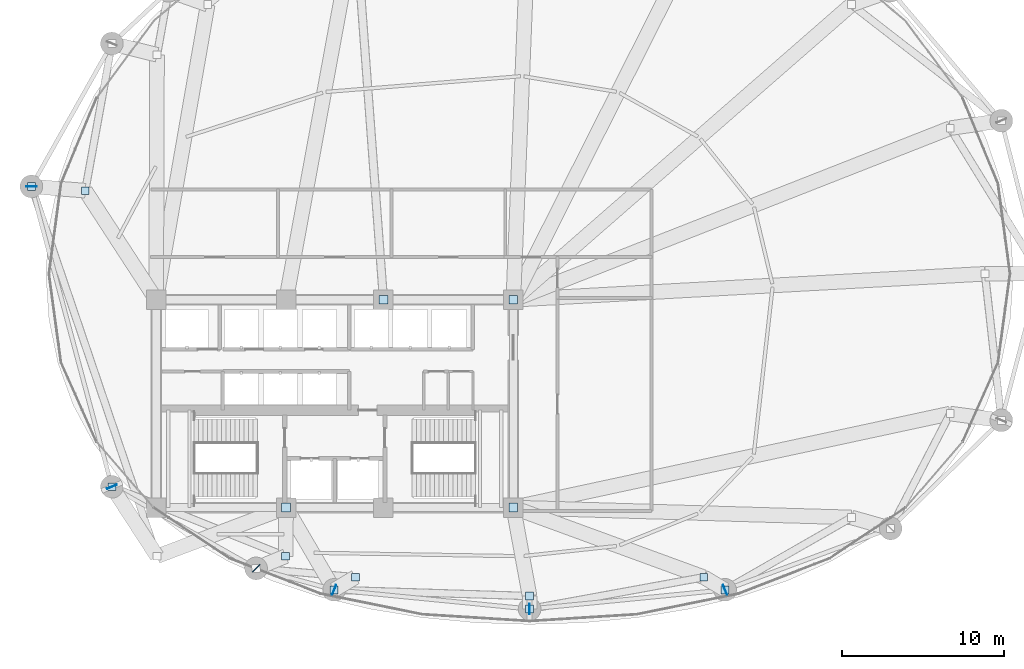
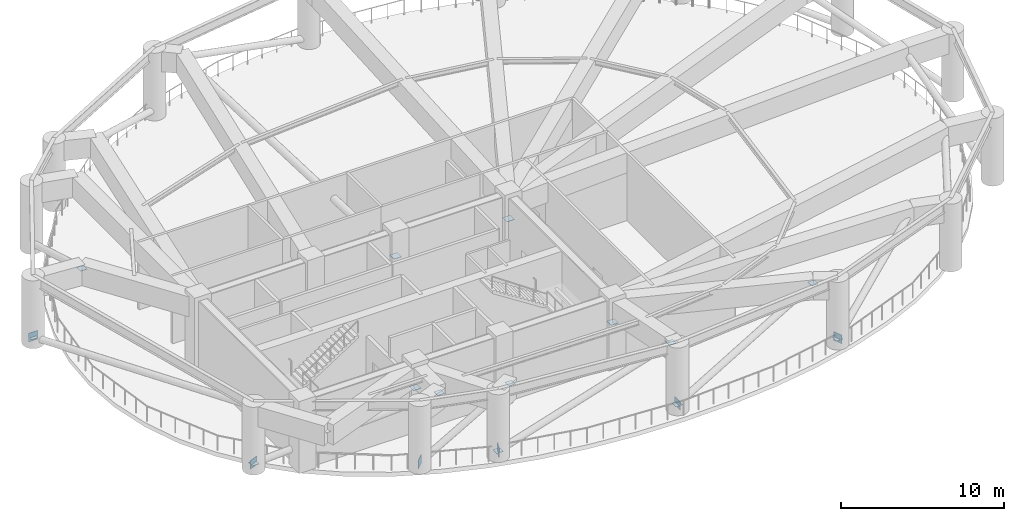
# One storey, part 3 of 9: 20 plates.
"""IFC4 building model written with IfcOpenShell, lengths in metres."""

from ifc_helpers import new_model, si_unit, direction, frame, origin, origin_2d, place, context, subcontext, project, spatial, rectangle, extrude, material, layer, layer_set, type_object, element, save


model = new_model("IFC4")

# Units and contexts
model_context = context("Model", 3, precision=1e-05, world=origin(), true_north=direction((0.0, 1.0)))
body_context = subcontext(model_context, "Body", "Model", "MODEL_VIEW")
ifc_project = project(units=[si_unit("LENGTHUNIT", "METRE"), si_unit("AREAUNIT", "SQUARE_METRE"), si_unit("VOLUMEUNIT", "CUBIC_METRE"), si_unit("PLANEANGLEUNIT", "RADIAN"), si_unit("MASSUNIT", "GRAM", prefix="KILO")], contexts=[model_context])

# Site, building, storey
site_placement = place(None, origin())
site = spatial("IfcSite", under=ifc_project, at=site_placement, CompositionType="ELEMENT")
building_placement = place(site_placement, origin())
building = spatial("IfcBuilding", under=site, at=building_placement, Name="Kazevale Care Tower and Concert Hall", CompositionType="ELEMENT")
storey_placement = place(building_placement, frame((0.0, 0.0, 92.39990234375)))
storey = spatial("IfcBuildingStorey", under=building, at=storey_placement, Name="L24", CompositionType="ELEMENT", Elevation=92.39990234375)

# Plates
ifc_material = material(Name="Steel ASTM A572 Gr 50", Category="steel")
ifc_layer_1 = layer(ifc_material, 0.02490234375)
ifc_layer_set_1 = layer_set([ifc_layer_1], Name="Steel ASTM A572 Gr 50")
plate_type_1 = type_object("IfcPlateType", Name="Hollow Section End Cap Plate 25mm", PredefinedType="USERDEFINED", material=ifc_layer_set_1)
for number, where, z_axis, x_axis, name in (
    (1, (17.6298828125, 43.1201171875, 4.517578125), (0.0, 0.0, 1.0), (1.0, 0.0, 0.0), "brace:L24:belt:08:cap1"),
    (2, (14.31005859375, 43.3798828125, 0.3876953125), (0.0, 0.0, 1.0), (1.0, 0.0, 0.0), "brace:L24:belt:09:cap0"),
    (3, (19.27001953125, 24.8798828125, 0.3876953125), (0.0, 0.0, 1.0), (1.0, 0.0, 0.0), "brace:L24:belt:10:cap0"),
    (4, (29.969970703125, 20.60009765625, 4.517578125), (0.0, 0.0, 1.0), (1.0, 0.0, 0.0), "brace:L24:belt:10:cap1"),
    (5, (34.27001953125, 19.31005859375, 4.517578125), (0.0, 0.0, 1.0), (1.0, 0.0, 0.0), "brace:L24:belt:11:cap1"),
    (6, (32.9599609375, 18.530029296875, 0.3876953125), (0.0, 0.0, 1.0), (1.0, 0.0, 0.0), "brace:L24:belt:12:cap0"),
    (7, (45.0, 18.14990234375, 4.517578125), (0.0, 0.0, 1.0), (1.0, 0.0, 0.0), "brace:L24:belt:12:cap1"),
    (8, (45.0, 17.35009765625, 0.3876953125), (0.0, 0.0, 1.0), (1.0, 0.0, 0.0), "brace:L24:belt:13:cap0"),
    (9, (55.72998046875, 19.31005859375, 4.517578125), (0.0, 0.0, 1.0), (1.0, 0.0, 0.0), "brace:L24:belt:13:cap1"),
    (10, (57.0400390625, 18.530029296875, 0.3876953125), (0.0, 0.0, 1.0), (1.0, 0.0, 0.0), "brace:L24:belt:14:cap0"),
):
    element("IfcPlate", number, at=place(storey_placement, frame(where, z_axis=z_axis, x_axis=x_axis)), inside=storey, type_object=plate_type_1, Name=name, ObjectType="END_CAP_PLATE", PredefinedType="USERDEFINED", context=body_context, shape_type="SweptSolid", body=[
        extrude(rectangle(XDim=0.47998046875, YDim=0.47998046875, at=origin_2d()), origin(), (0.0, 0.0, 1.0), 0.02490234375),
    ])
for number, where, z_axis, x_axis, name in (
    (11, (44.0, 36.39990234375, 3.087646484375), (0.0, 0.0, 1.0), (1.0, 0.0, 0.0), "brace:L24:outrig:1:cap0"),
    (12, (36.0, 36.39990234375, 3.087646484375), (0.0, 0.0, 1.0), (1.0, 0.0, 0.0), "brace:L24:outrig:2:cap0"),
    (13, (30.0, 23.60009765625, 3.087646484375), (0.0, 0.0, 1.0), (1.0, 0.0, 0.0), "brace:L24:outrig:3:cap0"),
    (14, (44.0, 23.60009765625, 3.087646484375), (0.0, 0.0, 1.0), (1.0, 0.0, 0.0), "brace:L24:outrig:4:cap0"),
):
    element("IfcPlate", number, at=place(storey_placement, frame(where, z_axis=z_axis, x_axis=x_axis)), inside=storey, type_object=plate_type_1, Name=name, ObjectType="END_CAP_PLATE", PredefinedType="USERDEFINED", context=body_context, shape_type="SweptSolid", body=[
        extrude(rectangle(XDim=0.5400390625, YDim=0.5400390625, at=origin_2d()), origin(), (0.0, 0.0, 1.0), 0.02490234375),
    ])
ifc_layer_2 = layer(ifc_material, 0.0400390625)
ifc_layer_set_2 = layer_set([ifc_layer_2], Name="Steel ASTM A572 Gr 50")
plate_type_2 = type_object("IfcPlateType", Name="Outrigger & Truss Gusset Plate 40mm", PredefinedType="USERDEFINED", material=ifc_layer_set_2)
for number, where, z_axis, x_axis, name in (
    (15, (14.31005859375, 43.3798828125, 0.125244140625), (0.0, 0.0, 1.0), (-1.0, 0.0, 0.0), "plate:L24:gusset:09"),
    (16, (19.27001953125, 24.8798828125, 0.125244140625), (0.0, 0.0, 1.0), (-0.923879532511, -0.382683432365, 0.0), "plate:L24:gusset:10"),
    (17, (28.14990234375, 19.85009765625, 0.125244140625), (0.0, 0.0, 1.0), (-0.707106781187, -0.707106781187, 0.0), "plate:L24:gusset:11"),
    (18, (32.9599609375, 18.530029296875, 0.125244140625), (0.0, 0.0, 1.0), (-0.382683432365, -0.923879532511, 0.0), "plate:L24:gusset:12"),
    (19, (45.0, 17.35009765625, 0.125244140625), (0.0, 0.0, 1.0), (0.0, -1.0, 0.0), "plate:L24:gusset:13"),
    (20, (57.0400390625, 18.530029296875, 0.125244140625), (0.0, 0.0, 1.0), (0.382683432365, -0.923879532511, 0.0), "plate:L24:gusset:14"),
):
    element("IfcPlate", number, at=place(storey_placement, frame(where, z_axis=z_axis, x_axis=x_axis)), inside=storey, type_object=plate_type_2, Name=name, ObjectType="GUSSET_PLATE", PredefinedType="USERDEFINED", context=body_context, shape_type="SweptSolid", body=[
        extrude(rectangle(XDim=0.64990234375, YDim=0.0400390625, at=origin_2d()), origin(), (0.0, 0.0, 1.0), 0.64990234375),
    ])

save(model, "model.ifc")
